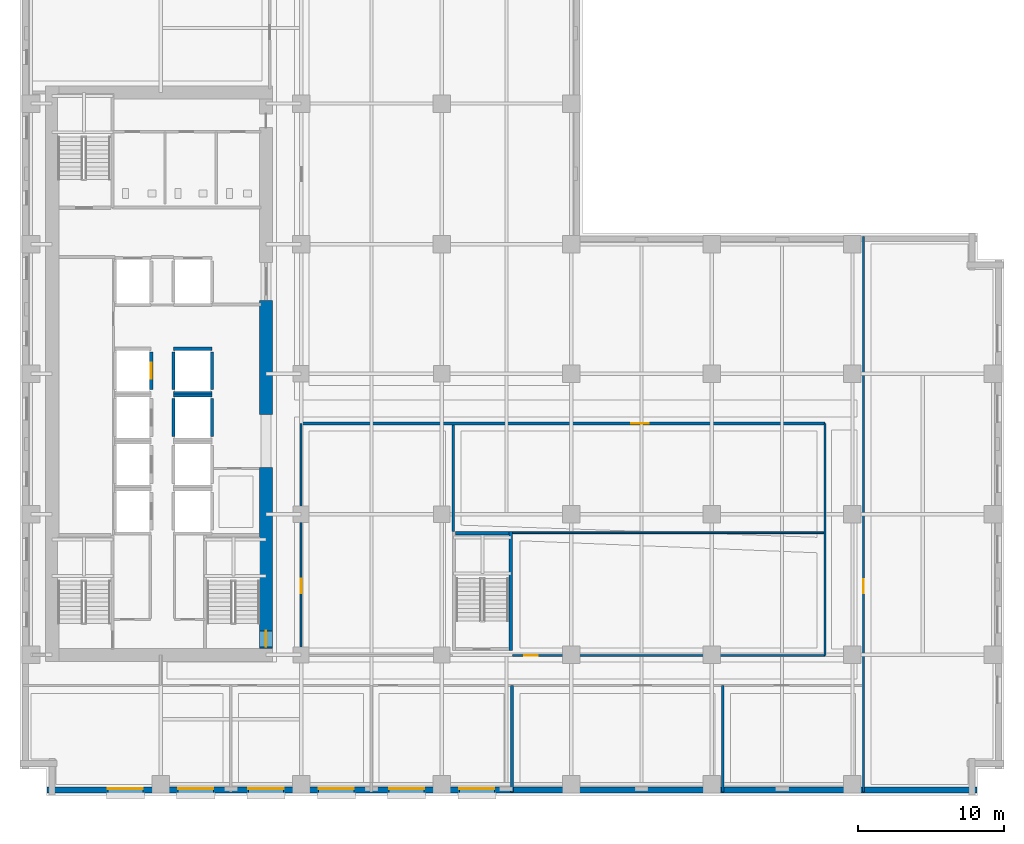
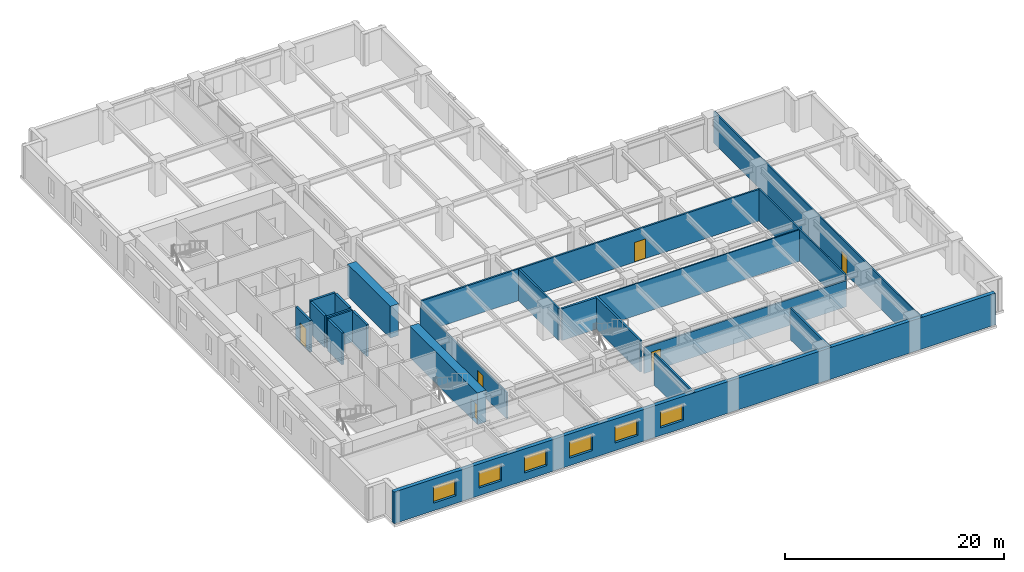
# One storey, part 5 of 14: 22 walls, 6 doors, 6 windows, 12 openings.
"""IFC4 building model written with IfcOpenShell, lengths in metres."""

from ifc_helpers import new_model, si_unit, direction, frame, frame_2d, origin, place, context, subcontext, project, spatial, rectangle, extrude, material, layer, layer_set, type_object, element, fill, save


model = new_model("IFC4")

# Units and contexts
model_context = context("Model", 3, precision=1e-05, world=origin(), true_north=direction((0.0, 1.0)))
body_context = subcontext(model_context, "Body", "Model", "MODEL_VIEW")
ifc_project = project(units=[si_unit("LENGTHUNIT", "METRE"), si_unit("AREAUNIT", "SQUARE_METRE"), si_unit("VOLUMEUNIT", "CUBIC_METRE"), si_unit("PLANEANGLEUNIT", "RADIAN"), si_unit("MASSUNIT", "GRAM", prefix="KILO")], contexts=[model_context])

# Site, building, storey
site_placement = place(None, origin())
site = spatial("IfcSite", under=ifc_project, at=site_placement, CompositionType="ELEMENT")
building_placement = place(site_placement, origin())
building = spatial("IfcBuilding", under=site, at=building_placement, Name="Norrvale University Quadrangle", CompositionType="ELEMENT")
storey_placement = place(building_placement, frame((0.0, 0.0, 28.0)))
storey = spatial("IfcBuildingStorey", under=building, at=storey_placement, Name="L06", CompositionType="ELEMENT", Elevation=28.0)

# Wall, opening, door
ifc_material_1 = material(Name="Concrete C80/95", Category="concrete")
ifc_layer_1 = layer(ifc_material_1, 0.89990234375, Name="Concrete C80/95")
ifc_layer_set_1 = layer_set([ifc_layer_1], Name="Concrete C80/95")
wall_type_1 = type_object("IfcWallType", Name="Wall Core 900", PredefinedType="SHEAR", material=ifc_layer_set_1)
wall_1_placement = place(storey_placement, frame((16.800048828125, 10.050048828125, 0.0), z_axis=(0.0, 0.0, 1.0), x_axis=(0.0, 1.0, 0.0)))
wall_1 = element("IfcWall", 1, at=wall_1_placement, inside=storey, type_object=wall_type_1, Name="Tower Core Shear Wall L06-E1", PredefinedType="SHEAR", context=body_context, shape_type="SweptSolid", body=[
    extrude(rectangle(XDim=12.349853515625, YDim=0.89990234375, at=frame_2d((6.1748046875, 0.0))), origin(), (0.0, 0.0, 1.0), 3.5400390625),
])
opening_1_placement = place(wall_1_placement, frame((0.090087890625, 0.0, 0.0)))
opening_1 = element("IfcOpeningElement", 2, at=opening_1_placement, cuts=wall_1, Name="Opening D02", PredefinedType="OPENING", context=body_context, shape_type="SweptSolid", body=[
    extrude(rectangle(XDim=1.10009765625, YDim=2.199951171875, at=frame_2d((0.550048828125, 1.10009765625))), frame((0.0, 0.4619140625, 0.0), z_axis=(0.0, -1.0, 0.0), x_axis=(1.0, 0.0, 0.0)), (0.0, 0.0, 1.0), 0.923828125),
])
ifc_material_2 = material(Name="Hollow Steel 350W Fire Door", Category="steel")
door_type_1 = type_object("IfcDoorType", Name="Door Stair Exit 1100x2200", OperationType="NOTDEFINED", PredefinedType="DOOR", material=ifc_material_2)
door_1_placement = place(opening_1_placement, origin())
door_1 = element("IfcDoor", 3, at=door_1_placement, inside=storey, type_object=door_type_1, Name="Door Stair Exit 1100x2200 DR-L06-ST03", OperationType="SINGLE_SWING_LEFT", OverallHeight=2.199951171875, OverallWidth=1.10009765625, PredefinedType="DOOR", context=body_context, shape_type="SweptSolid", body=[
    extrude(rectangle(XDim=1.10009765625, YDim=2.199951171875, at=frame_2d((0.550048828125, 1.10009765625))), frame((0.0, 0.02490234375, 0.0), z_axis=(0.0, -1.0, 0.0), x_axis=(1.0, 0.0, 0.0)), (0.0, 0.0, 1.0), 0.050048828125),
])
fill(opening_1, door_1)

# Walls
wall_2_placement = place(storey_placement, frame((16.800048828125, 26.0, 0.0), z_axis=(0.0, 0.0, 1.0), x_axis=(0.0, 1.0, 0.0)))
element("IfcWall", 4, at=wall_2_placement, inside=storey, type_object=wall_type_1, Name="Tower Core Shear Wall L06-E2", PredefinedType="SHEAR", context=body_context, shape_type="SweptSolid", body=[
    extrude(rectangle(XDim=7.800048828125, YDim=0.89990234375, at=frame_2d((3.89990234375, 0.0))), origin(), (0.0, 0.0, 1.0), 3.5400390625),
])
ifc_material_3 = material(Name="Standard Academic Gypsum Partition")
ifc_layer_2 = layer(ifc_material_3, 0.125, Name="Standard Academic Gypsum Partition")
ifc_layer_set_2 = layer_set([ifc_layer_2], Name="Standard Academic Gypsum Partition")
wall_type_2 = type_object("IfcWallType", Name="Wall Gypsum Academic 125", PredefinedType="PARTITIONING", material=ifc_layer_set_2)
wall_3_placement = place(storey_placement, frame((33.6201171875, 17.93994140625, 0.0), z_axis=(0.0, 0.0, 1.0), x_axis=(1.0, 0.0, 0.0)))
element("IfcWall", 5, at=wall_3_placement, inside=storey, type_object=wall_type_2, Name="Interior Partition WL-L06-ISLH", PredefinedType="PARTITIONING", context=body_context, shape_type="SweptSolid", body=[
    extrude(rectangle(XDim=21.35498046875, YDim=0.125, at=frame_2d((10.677490234375, 0.0))), origin(), (0.0, 0.0, 1.0), 3.5400390625),
])

# Wall, opening, door
ifc_material_4 = material(Name="Fire-Rated Gypsum Stud Partition")
ifc_layer_3 = layer(ifc_material_4, 0.14990234375, Name="Fire-Rated Gypsum Stud Partition")
ifc_layer_set_3 = layer_set([ifc_layer_3], Name="Fire-Rated Gypsum Stud Partition")
wall_type_3 = type_object("IfcWallType", Name="Wall Gypsum Corridor 150", PredefinedType="PARTITIONING", material=ifc_layer_set_3)
wall_4_placement = place(storey_placement, frame((57.60009765625, 0.219970703125, 0.0), z_axis=(0.0, 0.0, 1.0), x_axis=(0.0, 1.0, 0.0)))
wall_4 = element("IfcWall", 6, at=wall_4_placement, inside=storey, type_object=wall_type_3, Name="Interior Partition WL-L06-ECW", PredefinedType="PARTITIONING", context=body_context, shape_type="SweptSolid", body=[
    extrude(rectangle(XDim=37.9599609375, YDim=0.14990234375, at=frame_2d((18.97998046875, 0.0))), origin(), (0.0, 0.0, 1.0), 3.5400390625),
])
opening_2_placement = place(wall_4_placement, frame((13.580078125, 0.0, 0.0)))
opening_2 = element("IfcOpeningElement", 7, at=opening_2_placement, cuts=wall_4, Name="Opening D07", PredefinedType="OPENING", context=body_context, shape_type="SweptSolid", body=[
    extrude(rectangle(XDim=0.949951171875, YDim=2.14990234375, at=frame_2d((0.47509765625, 1.074951171875))), frame((0.0, 0.0869140625, 0.0), z_axis=(0.0, -1.0, 0.0), x_axis=(1.0, 0.0, 0.0)), (0.0, 0.0, 1.0), 0.173828125),
])
ifc_material_5 = material(Name="Solid-Core Maple Door", Category="wood")
door_type_2 = type_object("IfcDoorType", Name="Door Office 950x2150", OperationType="NOTDEFINED", PredefinedType="DOOR", material=ifc_material_5)
door_2_placement = place(opening_2_placement, origin())
door_2 = element("IfcDoor", 8, at=door_2_placement, inside=storey, type_object=door_type_2, Name="Door Office 950x2150 DR-L06-E01", OperationType="SINGLE_SWING_RIGHT", OverallHeight=2.14990234375, OverallWidth=0.949951171875, PredefinedType="DOOR", context=body_context, shape_type="SweptSolid", body=[
    extrude(rectangle(XDim=0.949951171875, YDim=2.14990234375, at=frame_2d((0.47509765625, 1.074951171875))), frame((0.0, 0.02490234375, 0.0), z_axis=(0.0, -1.0, 0.0), x_axis=(1.0, 0.0, 0.0)), (0.0, 0.0, 1.0), 0.050048828125),
])
fill(opening_2, door_2)

wall_5_placement = place(storey_placement, frame((19.199951171875, 9.550048828125, 0.0), z_axis=(0.0, 0.0, 1.0), x_axis=(0.0, 1.0, 0.0)))
wall_5 = element("IfcWall", 9, at=wall_5_placement, inside=storey, type_object=wall_type_3, Name="Interior Partition WL-L06-ISLW", PredefinedType="PARTITIONING", context=body_context, shape_type="SweptSolid", body=[
    extrude(rectangle(XDim=15.849853515625, YDim=0.14990234375, at=frame_2d((7.9248046875, 0.0))), origin(), (0.0, 0.0, 1.0), 2.923095703125),
])
opening_3_placement = place(wall_5_placement, frame((4.25, 0.0, 0.0)))
opening_3 = element("IfcOpeningElement", 10, at=opening_3_placement, cuts=wall_5, Name="Opening D04", PredefinedType="OPENING", context=body_context, shape_type="SweptSolid", body=[
    extrude(rectangle(XDim=1.0, YDim=2.199951171875, at=frame_2d((0.5, 1.10009765625))), frame((0.0, 0.0869140625, 0.0), z_axis=(0.0, -1.0, 0.0), x_axis=(1.0, 0.0, 0.0)), (0.0, 0.0, 1.0), 0.173828125),
])
ifc_material_6 = material(Name="Solid-Core Oak Fire Door", Category="wood")
door_type_3 = type_object("IfcDoorType", Name="Door Corridor 1000x2200", OperationType="NOTDEFINED", PredefinedType="DOOR", material=ifc_material_6)
door_3_placement = place(opening_3_placement, origin())
door_3 = element("IfcDoor", 11, at=door_3_placement, inside=storey, type_object=door_type_3, Name="Door Corridor 1000x2200 DR-L06-IW1", OperationType="SINGLE_SWING_LEFT", OverallHeight=2.199951171875, OverallWidth=1.0, PredefinedType="DOOR", context=body_context, shape_type="SweptSolid", body=[
    extrude(rectangle(XDim=1.0, YDim=2.199951171875, at=frame_2d((0.5, 1.10009765625))), frame((0.0, 0.02490234375, 0.0), z_axis=(0.0, -1.0, 0.0), x_axis=(1.0, 0.0, 0.0)), (0.0, 0.0, 1.0), 0.050048828125),
])
fill(opening_3, door_3)

wall_6_placement = place(storey_placement, frame((33.6201171875, 9.550048828125, 0.0), z_axis=(0.0, 0.0, 1.0), x_axis=(1.0, 0.0, 0.0)))
wall_6 = element("IfcWall", 12, at=wall_6_placement, inside=storey, type_object=wall_type_3, Name="Interior Partition WL-L06-ISLS2", PredefinedType="PARTITIONING", context=body_context, shape_type="SweptSolid", body=[
    extrude(rectangle(XDim=21.35498046875, YDim=0.14990234375, at=frame_2d((10.677490234375, 0.0))), origin(), (0.0, 0.0, 1.0), 2.923095703125),
])
opening_4_placement = place(wall_6_placement, frame((0.800048828125, 0.0, 0.0)))
opening_4 = element("IfcOpeningElement", 13, at=opening_4_placement, cuts=wall_6, Name="Opening D07", PredefinedType="OPENING", context=body_context, shape_type="SweptSolid", body=[
    extrude(rectangle(XDim=0.949951171875, YDim=2.14990234375, at=frame_2d((0.47509765625, 1.074951171875))), frame((0.0, 0.0869140625, 0.0), z_axis=(0.0, -1.0, 0.0), x_axis=(1.0, 0.0, 0.0)), (0.0, 0.0, 1.0), 0.173828125),
])
door_4_placement = place(opening_4_placement, origin())
door_4 = element("IfcDoor", 14, at=door_4_placement, inside=storey, type_object=door_type_2, Name="Door Office 950x2150 DR-L06-ISE", OperationType="SINGLE_SWING_LEFT", OverallHeight=2.14990234375, OverallWidth=0.949951171875, PredefinedType="DOOR", context=body_context, shape_type="SweptSolid", body=[
    extrude(rectangle(XDim=0.949951171875, YDim=2.14990234375, at=frame_2d((0.47509765625, 1.074951171875))), frame((0.0, 0.02490234375, 0.0), z_axis=(0.0, -1.0, 0.0), x_axis=(1.0, 0.0, 0.0)), (0.0, 0.0, 1.0), 0.050048828125),
])
fill(opening_4, door_4)

# Walls
wall_7_placement = place(storey_placement, frame((54.97509765625, 9.550048828125, 0.0), z_axis=(0.0, 0.0, 1.0), x_axis=(0.0, 1.0, 0.0)))
element("IfcWall", 15, at=wall_7_placement, inside=storey, type_object=wall_type_3, Name="Interior Partition WL-L06-ISLE", PredefinedType="PARTITIONING", context=body_context, shape_type="SweptSolid", body=[
    extrude(rectangle(XDim=15.849853515625, YDim=0.14990234375, at=frame_2d((7.9248046875, 0.0))), origin(), (0.0, 0.0, 1.0), 3.5400390625),
])
ifc_material_7 = material(Name="Acoustic Double-Stud Gypsum Partition")
ifc_layer_4 = layer(ifc_material_7, 0.179931640625, Name="Acoustic Double-Stud Gypsum Partition")
ifc_layer_set_4 = layer_set([ifc_layer_4], Name="Acoustic Double-Stud Gypsum Partition")
wall_type_4 = type_object("IfcWallType", Name="Wall Gypsum Lecture 180", PredefinedType="PARTITIONING", material=ifc_layer_set_4)
for number, where, z_axis, x_axis, name in (
    (16, (33.60009765625, 0.219970703125, 0.0), (0.0, 0.0, 1.0), (0.0, 1.0, 0.0), "Interior Partition WL-L06-SP03"),
    (17, (48.0, 0.219970703125, 0.0), (0.0, 0.0, 1.0), (0.0, 1.0, 0.0), "Interior Partition WL-L06-SP04"),
    (18, (29.580078125, 18.02490234375, 0.0), (0.0, 0.0, 1.0), (0.0, 1.0, 0.0), "Interior Partition WL-L06-ISLD"),
):
    element("IfcWall", number, at=place(storey_placement, frame(where, z_axis=z_axis, x_axis=x_axis)), inside=storey, type_object=wall_type_4, Name=name, PredefinedType="PARTITIONING", context=body_context, shape_type="SweptSolid", body=[
        extrude(rectangle(XDim=7.280029296875, YDim=0.179931640625, at=frame_2d((3.64013671875, 0.0))), origin(), (0.0, 0.0, 1.0), 3.5400390625),
    ])

# Wall, opening, door
wall_8_placement = place(storey_placement, frame((19.280029296875, 25.39990234375, 0.0), z_axis=(0.0, 0.0, 1.0), x_axis=(1.0, 0.0, 0.0)))
wall_8 = element("IfcWall", 19, at=wall_8_placement, inside=storey, type_object=wall_type_4, Name="Interior Partition WL-L06-ISLN", PredefinedType="PARTITIONING", context=body_context, shape_type="SweptSolid", body=[
    extrude(rectangle(XDim=35.695068359375, YDim=0.179931640625, at=frame_2d((17.84765625, 0.0))), origin(), (0.0, 0.0, 1.0), 3.5400390625),
])
opening_5_placement = place(wall_8_placement, frame((22.45703125, 0.0, 0.0)))
opening_5 = element("IfcOpeningElement", 20, at=opening_5_placement, cuts=wall_8, Name="Opening D05", PredefinedType="OPENING", context=body_context, shape_type="SweptSolid", body=[
    extrude(rectangle(XDim=1.199951171875, YDim=2.199951171875, at=frame_2d((0.60009765625, 1.10009765625))), frame((0.0, 0.10205078125, 0.0), z_axis=(0.0, -1.0, 0.0), x_axis=(1.0, 0.0, 0.0)), (0.0, 0.0, 1.0), 0.203857421875),
])
ifc_material_8 = material(Name="Acoustic Oak Classroom Door", Category="wood")
door_type_4 = type_object("IfcDoorType", Name="Door Classroom 1200x2200", OperationType="NOTDEFINED", PredefinedType="DOOR", material=ifc_material_8)
door_5_placement = place(opening_5_placement, origin())
door_5 = element("IfcDoor", 21, at=door_5_placement, inside=storey, type_object=door_type_4, Name="Door Classroom 1200x2200 DR-L06-ILH", OperationType="SINGLE_SWING_RIGHT", OverallHeight=2.199951171875, OverallWidth=1.199951171875, PredefinedType="DOOR", context=body_context, shape_type="SweptSolid", body=[
    extrude(rectangle(XDim=1.199951171875, YDim=2.199951171875, at=frame_2d((0.60009765625, 1.10009765625))), frame((0.0, 0.02490234375, 0.0), z_axis=(0.0, -1.0, 0.0), x_axis=(1.0, 0.0, 0.0)), (0.0, 0.0, 1.0), 0.050048828125),
])
fill(opening_5, door_5)

# Wall, openings, windows
ifc_material_9 = material(Name="Red Manganese Brick Masonry", Category="masonry")
ifc_layer_5 = layer(ifc_material_9, 0.39990234375, Name="Red Manganese Brick Masonry")
ifc_layer_set_5 = layer_set([ifc_layer_5], Name="Red Manganese Brick Masonry")
wall_type_5 = type_object("IfcWallType", Name="Wall Red Brick 400", PredefinedType="SOLIDWALL", material=ifc_layer_set_5)
wall_9_placement = place(storey_placement, frame((1.840087890625, 0.3798828125, 0.0), z_axis=(0.0, 0.0, 1.0), x_axis=(1.0, 0.0, 0.0)))
wall_9 = element("IfcWall", 22, at=wall_9_placement, inside=storey, type_object=wall_type_5, Name="Exterior Brick Facade Wall L06-01.1", PredefinedType="SOLIDWALL", context=body_context, shape_type="SweptSolid", body=[
    extrude(rectangle(XDim=63.52001953125, YDim=0.39990234375, at=frame_2d((31.760009765625, 0.0))), origin(), (0.0, 0.0, 1.0), 3.5400390625),
])
opening_6_placement = place(wall_9_placement, frame((4.159912109375, 0.0, 0.85009765625)))
opening_6 = element("IfcOpeningElement", 23, at=opening_6_placement, cuts=wall_9, Name="Opening W02", PredefinedType="OPENING", context=body_context, shape_type="SweptSolid", body=[
    extrude(rectangle(XDim=2.39990234375, YDim=1.85009765625, at=frame_2d((1.199951171875, 0.925048828125))), frame((0.0, 0.2119140625, 0.0), z_axis=(0.0, -1.0, 0.0), x_axis=(1.0, 0.0, 0.0)), (0.0, 0.0, 1.0), 0.423828125),
])
opening_7_placement = place(wall_9_placement, frame((8.9599609375, 0.0, 0.85009765625)))
opening_7 = element("IfcOpeningElement", 24, at=opening_7_placement, cuts=wall_9, Name="Opening W02", PredefinedType="OPENING", context=body_context, shape_type="SweptSolid", body=[
    extrude(rectangle(XDim=2.39990234375, YDim=1.85009765625, at=frame_2d((1.199951171875, 0.925048828125))), frame((0.0, 0.2119140625, 0.0), z_axis=(0.0, -1.0, 0.0), x_axis=(1.0, 0.0, 0.0)), (0.0, 0.0, 1.0), 0.423828125),
])
opening_8_placement = place(wall_9_placement, frame((13.760009765625, 0.0, 0.85009765625)))
opening_8 = element("IfcOpeningElement", 25, at=opening_8_placement, cuts=wall_9, Name="Opening W02", PredefinedType="OPENING", context=body_context, shape_type="SweptSolid", body=[
    extrude(rectangle(XDim=2.39990234375, YDim=1.85009765625, at=frame_2d((1.199951171875, 0.925048828125))), frame((0.0, 0.2119140625, 0.0), z_axis=(0.0, -1.0, 0.0), x_axis=(1.0, 0.0, 0.0)), (0.0, 0.0, 1.0), 0.423828125),
])
opening_9_placement = place(wall_9_placement, frame((18.56005859375, 0.0, 0.85009765625)))
opening_9 = element("IfcOpeningElement", 26, at=opening_9_placement, cuts=wall_9, Name="Opening W02", PredefinedType="OPENING", context=body_context, shape_type="SweptSolid", body=[
    extrude(rectangle(XDim=2.39990234375, YDim=1.85009765625, at=frame_2d((1.199951171875, 0.925048828125))), frame((0.0, 0.2119140625, 0.0), z_axis=(0.0, -1.0, 0.0), x_axis=(1.0, 0.0, 0.0)), (0.0, 0.0, 1.0), 0.423828125),
])
opening_10_placement = place(wall_9_placement, frame((23.360107421875, 0.0, 0.85009765625)))
opening_10 = element("IfcOpeningElement", 27, at=opening_10_placement, cuts=wall_9, Name="Opening W02", PredefinedType="OPENING", context=body_context, shape_type="SweptSolid", body=[
    extrude(rectangle(XDim=2.39990234375, YDim=1.85009765625, at=frame_2d((1.199951171875, 0.925048828125))), frame((0.0, 0.2119140625, 0.0), z_axis=(0.0, -1.0, 0.0), x_axis=(1.0, 0.0, 0.0)), (0.0, 0.0, 1.0), 0.423828125),
])
opening_11_placement = place(wall_9_placement, frame((28.159912109375, 0.0, 0.85009765625)))
opening_11 = element("IfcOpeningElement", 28, at=opening_11_placement, cuts=wall_9, Name="Opening W02", PredefinedType="OPENING", context=body_context, shape_type="SweptSolid", body=[
    extrude(rectangle(XDim=2.39990234375, YDim=1.85009765625, at=frame_2d((1.199951171875, 0.925048828125))), frame((0.0, 0.2119140625, 0.0), z_axis=(0.0, -1.0, 0.0), x_axis=(1.0, 0.0, 0.0)), (0.0, 0.0, 1.0), 0.423828125),
])
ifc_material_10 = material(Name="Triple Low-E Argon Glazing", Category="glass")
window_type = type_object("IfcWindowType", Name="Window Academic 2400x2300", PartitioningType="TRIPLE_PANEL_VERTICAL", PredefinedType="WINDOW", material=ifc_material_10)
window_1_placement = place(opening_6_placement, origin())
window_1 = element("IfcWindow", 29, at=window_1_placement, inside=storey, type_object=window_type, Name="Window Academic 2400x2300 WIN-L06-E01-1-01", OverallHeight=1.85009765625, OverallWidth=2.39990234375, PartitioningType="TRIPLE_PANEL_VERTICAL", PredefinedType="WINDOW", context=body_context, shape_type="SweptSolid", body=[
    extrude(rectangle(XDim=2.39990234375, YDim=1.85009765625, at=frame_2d((1.199951171875, 0.925048828125))), frame((0.0, 0.110107421875, 0.0), z_axis=(0.0, -1.0, 0.0), x_axis=(1.0, 0.0, 0.0)), (0.0, 0.0, 1.0), 0.06005859375),
])
fill(opening_6, window_1)
window_2_placement = place(opening_7_placement, origin())
window_2 = element("IfcWindow", 30, at=window_2_placement, inside=storey, type_object=window_type, Name="Window Academic 2400x2300 WIN-L06-E01-1-02", OverallHeight=1.85009765625, OverallWidth=2.39990234375, PartitioningType="TRIPLE_PANEL_VERTICAL", PredefinedType="WINDOW", context=body_context, shape_type="SweptSolid", body=[
    extrude(rectangle(XDim=2.39990234375, YDim=1.85009765625, at=frame_2d((1.199951171875, 0.925048828125))), frame((0.0, 0.110107421875, 0.0), z_axis=(0.0, -1.0, 0.0), x_axis=(1.0, 0.0, 0.0)), (0.0, 0.0, 1.0), 0.06005859375),
])
fill(opening_7, window_2)
window_3_placement = place(opening_8_placement, origin())
window_3 = element("IfcWindow", 31, at=window_3_placement, inside=storey, type_object=window_type, Name="Window Academic 2400x2300 WIN-L06-E01-1-03", OverallHeight=1.85009765625, OverallWidth=2.39990234375, PartitioningType="TRIPLE_PANEL_VERTICAL", PredefinedType="WINDOW", context=body_context, shape_type="SweptSolid", body=[
    extrude(rectangle(XDim=2.39990234375, YDim=1.85009765625, at=frame_2d((1.199951171875, 0.925048828125))), frame((0.0, 0.110107421875, 0.0), z_axis=(0.0, -1.0, 0.0), x_axis=(1.0, 0.0, 0.0)), (0.0, 0.0, 1.0), 0.06005859375),
])
fill(opening_8, window_3)
window_4_placement = place(opening_9_placement, origin())
window_4 = element("IfcWindow", 32, at=window_4_placement, inside=storey, type_object=window_type, Name="Window Academic 2400x2300 WIN-L06-E01-1-04", OverallHeight=1.85009765625, OverallWidth=2.39990234375, PartitioningType="TRIPLE_PANEL_VERTICAL", PredefinedType="WINDOW", context=body_context, shape_type="SweptSolid", body=[
    extrude(rectangle(XDim=2.39990234375, YDim=1.85009765625, at=frame_2d((1.199951171875, 0.925048828125))), frame((0.0, 0.110107421875, 0.0), z_axis=(0.0, -1.0, 0.0), x_axis=(1.0, 0.0, 0.0)), (0.0, 0.0, 1.0), 0.06005859375),
])
fill(opening_9, window_4)
window_5_placement = place(opening_10_placement, origin())
window_5 = element("IfcWindow", 33, at=window_5_placement, inside=storey, type_object=window_type, Name="Window Academic 2400x2300 WIN-L06-E01-1-05", OverallHeight=1.85009765625, OverallWidth=2.39990234375, PartitioningType="TRIPLE_PANEL_VERTICAL", PredefinedType="WINDOW", context=body_context, shape_type="SweptSolid", body=[
    extrude(rectangle(XDim=2.39990234375, YDim=1.85009765625, at=frame_2d((1.199951171875, 0.925048828125))), frame((0.0, 0.110107421875, 0.0), z_axis=(0.0, -1.0, 0.0), x_axis=(1.0, 0.0, 0.0)), (0.0, 0.0, 1.0), 0.06005859375),
])
fill(opening_10, window_5)
window_6_placement = place(opening_11_placement, origin())
window_6 = element("IfcWindow", 34, at=window_6_placement, inside=storey, type_object=window_type, Name="Window Academic 2400x2300 WIN-L06-E01-1-06", OverallHeight=1.85009765625, OverallWidth=2.39990234375, PartitioningType="TRIPLE_PANEL_VERTICAL", PredefinedType="WINDOW", context=body_context, shape_type="SweptSolid", body=[
    extrude(rectangle(XDim=2.39990234375, YDim=1.85009765625, at=frame_2d((1.199951171875, 0.925048828125))), frame((0.0, 0.110107421875, 0.0), z_axis=(0.0, -1.0, 0.0), x_axis=(1.0, 0.0, 0.0)), (0.0, 0.0, 1.0), 0.06005859375),
])
fill(opening_11, window_6)

# Walls
ifc_material_11 = material(Name="Concrete Blockwork 20 MPa Fire Shaft", Category="masonry")
ifc_layer_6 = layer(ifc_material_11, 0.219970703125, Name="Concrete Blockwork 20 MPa Fire Shaft")
ifc_layer_set_6 = layer_set([ifc_layer_6], Name="Concrete Blockwork 20 MPa Fire Shaft")
wall_type_6 = type_object("IfcWallType", Name="Wall Shaft 220", PredefinedType="SOLIDWALL", material=ifc_layer_set_6)
wall_10_placement = place(storey_placement, frame((33.510009765625, 9.8798828125, 0.0), z_axis=(0.0, 0.0, 1.0), x_axis=(0.0, 1.0, 0.0)))
element("IfcWall", 35, at=wall_10_placement, inside=storey, type_object=wall_type_6, Name="Stair ST-04 East Shaft Wall L06", PredefinedType="SOLIDWALL", context=body_context, shape_type="SweptSolid", body=[
    extrude(rectangle(XDim=8.14013671875, YDim=0.219970703125, at=frame_2d((4.070068359375, 0.0))), origin(), (0.0, 0.0, 1.0), 3.5400390625),
])
wall_11_placement = place(storey_placement, frame((29.75, 17.909912109375, 0.0), z_axis=(0.0, 0.0, 1.0), x_axis=(1.0, 0.0, 0.0)))
element("IfcWall", 36, at=wall_11_placement, inside=storey, type_object=wall_type_6, Name="Stair ST-04 North Shaft Wall L06", PredefinedType="SOLIDWALL", context=body_context, shape_type="SweptSolid", body=[
    extrude(rectangle(XDim=3.64990234375, YDim=0.219970703125, at=frame_2d((1.824951171875, 0.0))), origin(), (0.0, 0.0, 1.0), 3.5400390625),
])

# Wall, opening, door
wall_12_placement = place(storey_placement, frame((8.9599609375, 27.7099609375, 0.0), z_axis=(0.0, 0.0, 1.0), x_axis=(0.0, 1.0, 0.0)))
wall_12 = element("IfcWall", 37, at=wall_12_placement, inside=storey, type_object=wall_type_6, Name="Hoistway PL-04 East Wall L06", PredefinedType="SOLIDWALL", context=body_context, shape_type="SweptSolid", body=[
    extrude(rectangle(XDim=2.580078125, YDim=0.219970703125, at=frame_2d((1.2900390625, 0.0))), origin(), (0.0, 0.0, 1.0), 3.5400390625),
])
opening_12_placement = place(wall_12_placement, frame((0.739990234375, 0.0, 0.0)))
opening_12 = element("IfcOpeningElement", 38, at=opening_12_placement, cuts=wall_12, Name="Opening LD1", PredefinedType="OPENING", context=body_context, shape_type="SweptSolid", body=[
    extrude(rectangle(XDim=1.10009765625, YDim=2.199951171875, at=frame_2d((0.550048828125, 1.10009765625))), frame((0.0, 0.1220703125, 0.0), z_axis=(0.0, -1.0, 0.0), x_axis=(1.0, 0.0, 0.0)), (0.0, 0.0, 1.0), 0.243896484375),
])
ifc_material_12 = material(Name="Stainless Steel 316L Lift Landing Door", Category="steel")
door_type_5 = type_object("IfcDoorType", Name="Door Lift Landing 1100x2200", OperationType="DOUBLE_DOOR_SLIDING", PredefinedType="DOOR", material=ifc_material_12)
door_6_placement = place(opening_12_placement, origin())
door_6 = element("IfcDoor", 39, at=door_6_placement, inside=storey, type_object=door_type_5, Name="Elevator Landing Door DR-L06-PL-04", OperationType="DOUBLE_DOOR_SLIDING", OverallHeight=2.199951171875, OverallWidth=1.10009765625, PredefinedType="DOOR", context=body_context, shape_type="SweptSolid", body=[
    extrude(rectangle(XDim=1.10009765625, YDim=2.199951171875, at=frame_2d((0.550048828125, 1.10009765625))), frame((0.0, 0.02490234375, 0.0), z_axis=(0.0, -1.0, 0.0), x_axis=(1.0, 0.0, 0.0)), (0.0, 0.0, 1.0), 0.050048828125),
])
fill(opening_12, door_6)

# Walls
for number, where, z_axis, x_axis, name in (
    (40, (10.489990234375, 24.510009765625, 0.0), (0.0, 0.0, 1.0), (0.0, 1.0, 0.0), "Hoistway PL-07 West Wall L06"),
    (41, (13.110107421875, 24.510009765625, 0.0), (0.0, 0.0, 1.0), (0.0, 1.0, 0.0), "Hoistway PL-07 East Wall L06"),
):
    element("IfcWall", number, at=place(storey_placement, frame(where, z_axis=z_axis, x_axis=x_axis)), inside=storey, type_object=wall_type_6, Name=name, PredefinedType="SOLIDWALL", context=body_context, shape_type="SweptSolid", body=[
        extrude(rectangle(XDim=2.580078125, YDim=0.219970703125, at=frame_2d((1.2900390625, 0.0))), origin(), (0.0, 0.0, 1.0), 3.5400390625),
    ])
wall_13_placement = place(storey_placement, frame((10.489990234375, 27.31005859375, 0.0), z_axis=(0.0, 0.0, 1.0), x_axis=(1.0, 0.0, 0.0)))
element("IfcWall", 42, at=wall_13_placement, inside=storey, type_object=wall_type_6, Name="Hoistway PL-07 North Wall L06", PredefinedType="SOLIDWALL", context=body_context, shape_type="SweptSolid", body=[
    extrude(rectangle(XDim=2.6201171875, YDim=0.219970703125, at=frame_2d((1.31005859375, 0.0))), origin(), (0.0, 0.0, 1.0), 3.5400390625),
])
for number, where, z_axis, x_axis, name in (
    (43, (10.489990234375, 27.7099609375, 0.0), (0.0, 0.0, 1.0), (0.0, 1.0, 0.0), "Hoistway PL-08 West Wall L06"),
    (44, (13.110107421875, 27.7099609375, 0.0), (0.0, 0.0, 1.0), (0.0, 1.0, 0.0), "Hoistway PL-08 East Wall L06"),
):
    element("IfcWall", number, at=place(storey_placement, frame(where, z_axis=z_axis, x_axis=x_axis)), inside=storey, type_object=wall_type_6, Name=name, PredefinedType="SOLIDWALL", context=body_context, shape_type="SweptSolid", body=[
        extrude(rectangle(XDim=2.580078125, YDim=0.219970703125, at=frame_2d((1.2900390625, 0.0))), origin(), (0.0, 0.0, 1.0), 3.5400390625),
    ])
for number, where, z_axis, x_axis, name in (
    (45, (10.489990234375, 27.489990234375, 0.0), (0.0, 0.0, 1.0), (1.0, 0.0, 0.0), "Hoistway PL-08 South Wall L06"),
    (46, (10.489990234375, 30.510009765625, 0.0), (0.0, 0.0, 1.0), (1.0, 0.0, 0.0), "Hoistway PL-08 North Wall L06"),
):
    element("IfcWall", number, at=place(storey_placement, frame(where, z_axis=z_axis, x_axis=x_axis)), inside=storey, type_object=wall_type_6, Name=name, PredefinedType="SOLIDWALL", context=body_context, shape_type="SweptSolid", body=[
        extrude(rectangle(XDim=2.6201171875, YDim=0.219970703125, at=frame_2d((1.31005859375, 0.0))), origin(), (0.0, 0.0, 1.0), 3.5400390625),
    ])

save(model, "model.ifc")
